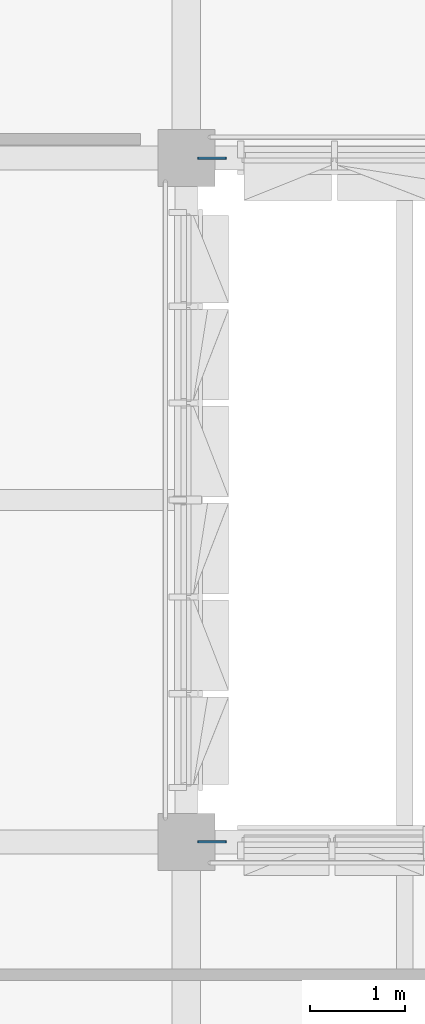
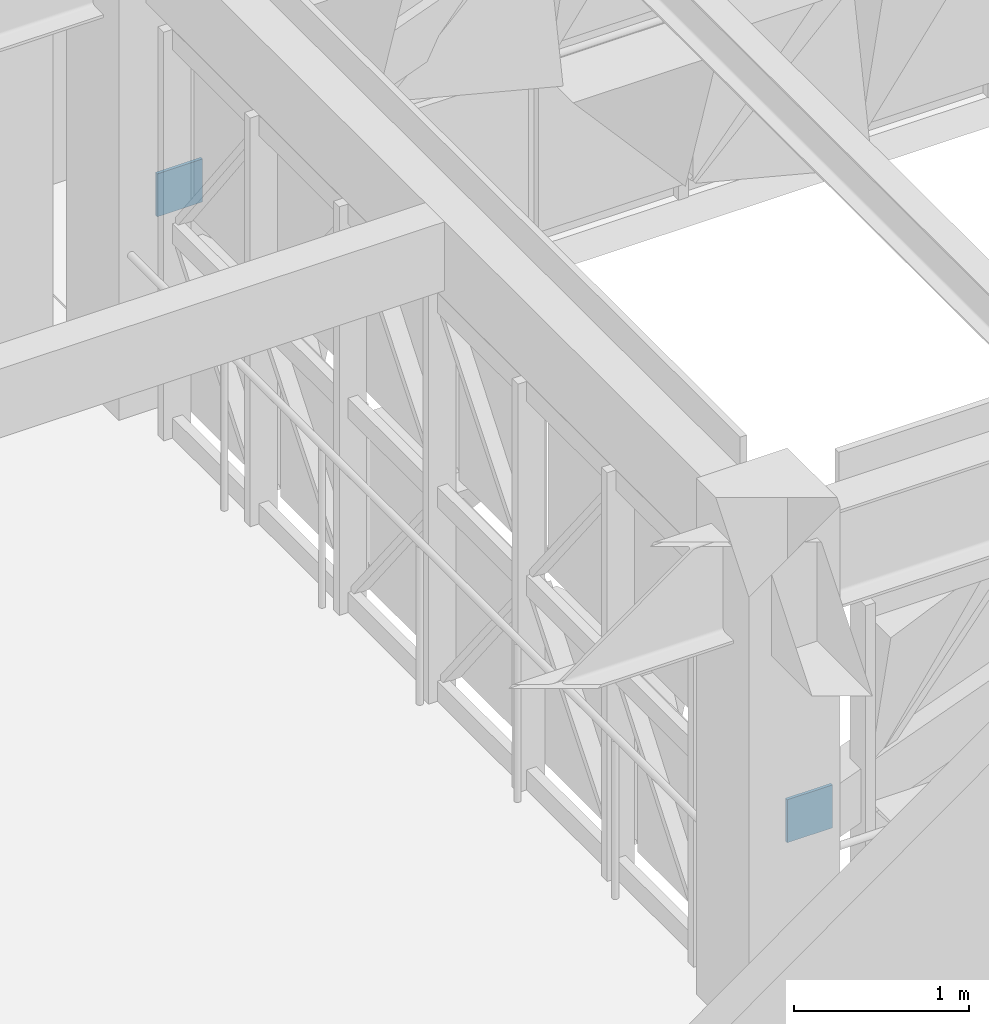
# One storey, part 47 of 99: 2 plates.
"""IFC4 building model written with IfcOpenShell, lengths in metres."""

from ifc_helpers import new_model, si_unit, direction, frame, origin, place, context, subcontext, project, spatial, polyline, outline, extrude, material, layer, layer_set, type_object, element, save


model = new_model("IFC4")

# Units and contexts
model_context = context("Model", 3, precision=1e-05, world=origin(), true_north=direction((0.0, 1.0)))
body_context = subcontext(model_context, "Body", "Model", "MODEL_VIEW")
ifc_project = project(units=[si_unit("LENGTHUNIT", "METRE"), si_unit("AREAUNIT", "SQUARE_METRE"), si_unit("VOLUMEUNIT", "CUBIC_METRE"), si_unit("PLANEANGLEUNIT", "RADIAN"), si_unit("MASSUNIT", "GRAM", prefix="KILO")], contexts=[model_context])

# Site, building, storey
site_placement = place(None, origin())
site = spatial("IfcSite", under=ifc_project, at=site_placement, CompositionType="ELEMENT")
building_placement = place(site_placement, origin())
building = spatial("IfcBuilding", under=site, at=building_placement, Name="Alvorim Cloister Faculty of Sciences", CompositionType="ELEMENT")
storey_placement = place(building_placement, frame((0.0, 0.0, 12.14990234375)))
storey = spatial("IfcBuildingStorey", under=building, at=storey_placement, Name="L03", CompositionType="ELEMENT", Elevation=12.14990234375)

# Plates
ifc_material = material(Name="Steel ASTM A572 Grade 50", Category="steel")
ifc_layer = layer(ifc_material, 0.02001953125)
ifc_layer_set = layer_set([ifc_layer], Name="Steel ASTM A572 Grade 50")
plate_type = type_object("IfcPlateType", Name="PL-GUS-20", PredefinedType="SHEET", material=ifc_layer_set)
for number, where, z_axis, x_axis, name in (
    (1, (28.920654296875, 36.0, 1.0966796875), (0.0, 0.0, 1.0), (1.0, 0.0, 0.0), "Hollow Steel End Plate ND-04"),
    (2, (28.920654296875, 43.199951171875, 1.0966796875), (0.0, 0.0, 1.0), (1.0, 0.0, 0.0), "Hollow Steel End Plate ND-04"),
):
    element("IfcPlate", number, at=place(storey_placement, frame(where, z_axis=z_axis, x_axis=x_axis)), inside=storey, type_object=plate_type, Name=name, PredefinedType="SHEET", context=body_context, shape_type="SweptSolid", body=[
        extrude(outline(polyline([(0.0, 0.0), (0.300048828125, 0.0), (0.300048828125, 0.2998046875), (0.0, 0.2998046875), (0.0, 0.0)])), frame((0.0, 0.010009765625, 0.0), z_axis=(0.0, -1.0, 0.0), x_axis=(1.0, 0.0, 0.0)), (0.0, 0.0, 1.0), 0.02001953125),
    ])

save(model, "model.ifc")
